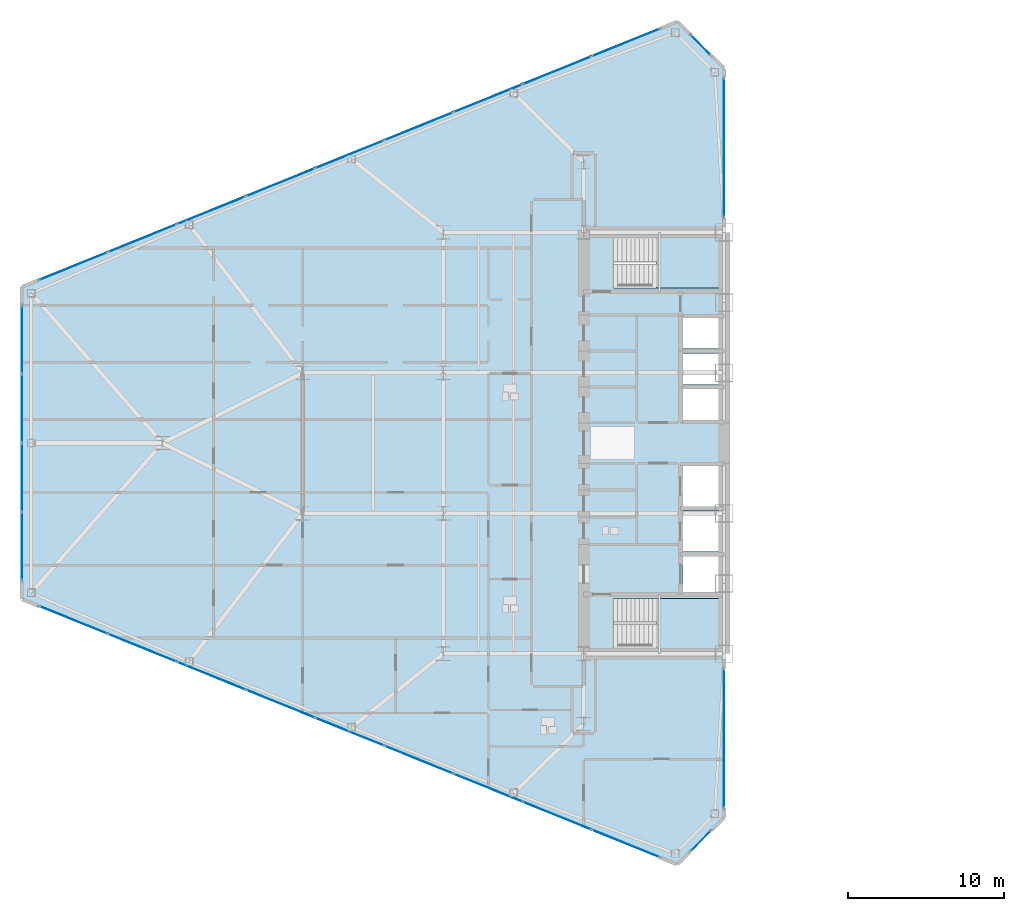
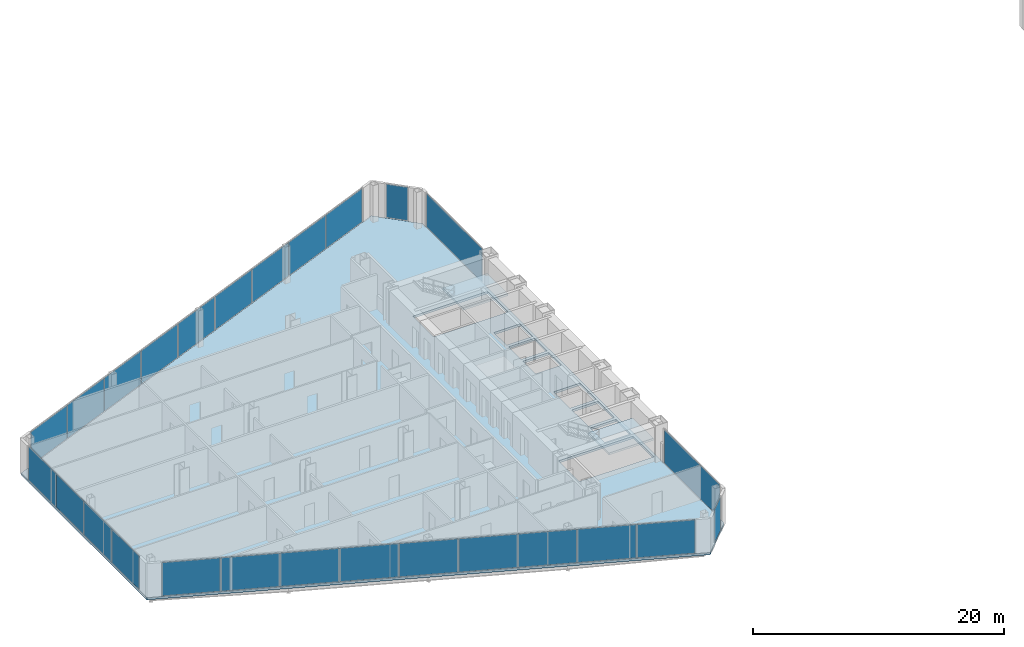
# One storey, part 15 of 25: 26 plates, 3 slabs, 9 elements without a shape of their own.
"""IFC4 building model written with IfcOpenShell, lengths in metres."""

from ifc_helpers import new_model, si_unit, direction, frame, origin, origin_2d, place, context, subcontext, project, spatial, polyline, rectangle, outline, extrude, source, transform, mapped, material, layer, layer_set, type_object, type_shapes, element, aggregate, save


model = new_model("IFC4")

# Units and contexts
model_context = context("Model", 3, precision=1e-05, world=origin(), true_north=direction((0.0, 1.0)))
body_context = subcontext(model_context, "Body", "Model", "MODEL_VIEW")
ifc_project = project(units=[si_unit("LENGTHUNIT", "METRE"), si_unit("AREAUNIT", "SQUARE_METRE"), si_unit("VOLUMEUNIT", "CUBIC_METRE"), si_unit("PLANEANGLEUNIT", "RADIAN"), si_unit("MASSUNIT", "GRAM", prefix="KILO")], contexts=[model_context])

# Site, building, storey
site_placement = place(None, origin())
site = spatial("IfcSite", under=ifc_project, at=site_placement, CompositionType="ELEMENT")
building_placement = place(site_placement, origin())
building = spatial("IfcBuilding", under=site, at=building_placement, Name="Seokmaru Belvedere", CompositionType="ELEMENT")
storey_placement = place(building_placement, frame((0.0, 0.0, 58.5)))
storey = spatial("IfcBuildingStorey", under=building, at=storey_placement, Name="L15", CompositionType="ELEMENT", Elevation=58.5)

# Stair, slab
ifc_material_1 = material(Name="Concrete C40 (40 MPa)", Category="concrete")
stair_type = type_object("IfcStairType", Name="Typical Tower Core Dog-Leg Stair 3600", PredefinedType="TWO_STRAIGHT_RUN_STAIR", material=ifc_material_1)
stair_1_placement = place(storey_placement, origin())
stair_1 = element("IfcStair", 1, at=stair_1_placement, inside=storey, type_object=stair_type, Name="L15 Special Escape Stair ST-W1", PredefinedType="TWO_STRAIGHT_RUN_STAIR")
ifc_layer_1 = layer(ifc_material_1, 0.199951171875)
ifc_layer_set_1 = layer_set([ifc_layer_1], Name="Concrete C40 (40 MPa)")
slab_type_1 = type_object("IfcSlabType", Name="Reinforced Concrete Stair Landing Slab 200", PredefinedType="LANDING", material=ifc_layer_set_1)
slab_1_placement = place(storey_placement, frame((0.0, 0.0, 1.60009765625)))
slab_1 = element("IfcSlab", 2, at=slab_1_placement, type_object=slab_type_1, Name="ST-W1 landing 1", PredefinedType="LANDING", context=body_context, shape_type="SweptSolid", body=[
    extrude(outline(polyline([(-31.8798828125, -13.239990234375), (-27.760009765625, -13.239990234375), (-27.760009765625, -9.949951171875), (-31.8798828125, -9.949951171875), (-31.8798828125, -13.239990234375)])), origin(), (0.0, 0.0, 1.0), 0.199951171875),
])
aggregate(stair_1, [slab_1])

stair_2_placement = place(storey_placement, origin())
stair_2 = element("IfcStair", 3, at=stair_2_placement, inside=storey, type_object=stair_type, Name="L15 Special Escape Stair ST-W2", PredefinedType="TWO_STRAIGHT_RUN_STAIR")
slab_2_placement = place(storey_placement, frame((0.0, 0.0, 1.60009765625)))
slab_2 = element("IfcSlab", 4, at=slab_2_placement, type_object=slab_type_1, Name="ST-W2 landing 1", PredefinedType="LANDING", context=body_context, shape_type="SweptSolid", body=[
    extrude(outline(polyline([(-31.8798828125, 9.949951171875), (-27.760009765625, 9.949951171875), (-27.760009765625, 13.239990234375), (-31.8798828125, 13.239990234375), (-31.8798828125, 9.949951171875)])), origin(), (0.0, 0.0, 1.0), 0.199951171875),
])
aggregate(stair_2, [slab_2])

# Slab
ifc_layer_2 = layer(ifc_material_1, 0.219970703125)
ifc_layer_set_2 = layer_set([ifc_layer_2], Name="Concrete C40 (40 MPa)")
slab_type_2 = type_object("IfcSlabType", Name="Typical Tower Composite Floor Slab 220", PredefinedType="FLOOR", material=ifc_layer_set_2)
slab_3_placement = place(storey_placement, frame((0.0, 0.0, -0.219970703125)))
element("IfcSlab", 5, at=slab_3_placement, inside=storey, type_object=slab_type_2, Name="L15 West Leg Floor Slab", PredefinedType="FLOOR", context=body_context, shape_type="SweptSolid", body=[
    extrude(outline(polyline([(-27.5, -24.0), (-27.5, 24.0), (-30.5, 27.0), (-72.5, 10.0), (-72.5, -10.0), (-30.5, -27.0), (-27.5, -24.0)]), holes=[polyline([(-34.60009765625, -13.25), (-27.75, -13.25), (-27.75, -9.949951171875), (-34.60009765625, -9.949951171875), (-34.60009765625, -13.25)]), polyline([(-34.60009765625, 9.949951171875), (-27.75, 9.949951171875), (-27.75, 13.25), (-34.60009765625, 13.25), (-34.60009765625, 9.949951171875)]), polyline([(-30.14990234375, -9.550048828125), (-27.75, -9.550048828125), (-27.75, -7.25), (-30.14990234375, -7.25), (-30.14990234375, -9.550048828125)]), polyline([(-30.14990234375, -6.949951171875), (-27.75, -6.949951171875), (-27.75, -4.35009765625), (-30.14990234375, -4.35009765625), (-30.14990234375, -6.949951171875)]), polyline([(-30.14990234375, -4.050048828125), (-27.75, -4.050048828125), (-27.75, -1.449951171875), (-30.14990234375, -1.449951171875), (-30.14990234375, -4.050048828125)]), polyline([(-30.14990234375, 1.449951171875), (-27.75, 1.449951171875), (-27.75, 3.449951171875), (-30.14990234375, 3.449951171875), (-30.14990234375, 1.449951171875)]), polyline([(-30.14990234375, 3.75), (-27.75, 3.75), (-27.75, 5.75), (-30.14990234375, 5.75), (-30.14990234375, 3.75)]), polyline([(-30.14990234375, 6.050048828125), (-27.75, 6.050048828125), (-27.75, 8.050048828125), (-30.14990234375, 8.050048828125), (-30.14990234375, 6.050048828125)])]), origin(), (0.0, 0.0, 1.0), 0.219970703125),
])

# Curtain wall, plate
ifc_material_2 = material(Name="Bronze Triple Insulating Glass", Category="glass")
ifc_layer_3 = layer(ifc_material_2, 0.2099609375)
ifc_layer_set_3 = layer_set([ifc_layer_3], Name="Bronze Triple Insulating Glass")
curtain_wall_type = type_object("IfcCurtainWallType", Name="Low-Rise Faceted Crystal Curtain Wall System CW-2", PredefinedType="NOTDEFINED", material=ifc_layer_set_3)
curtain_wall_1_placement = place(storey_placement, origin())
curtain_wall_1 = element("IfcCurtainWall", 6, at=curtain_wall_1_placement, inside=storey, type_object=curtain_wall_type, Name="L15 Curtain Wall WSP_1", PredefinedType="NOTDEFINED")
ifc_layer_4 = layer(ifc_material_2, 0.035888671875)
ifc_layer_set_4 = layer_set([ifc_layer_4], Name="Bronze Triple Insulating Glass")
plate_type = type_object("IfcPlateType", Name="Bronze Triple Vision Glazing Panel 36", PredefinedType="CURTAIN_PANEL", material=ifc_layer_set_4)
shared_shape_1 = source(origin(), body_context, "Body", "SweptSolid", [
    extrude(rectangle(XDim=8.85009765625, YDim=0.035888671875, at=origin_2d()), origin(), (0.0, 0.0, 1.0), 3.239990234375),
])
plate_1_placement = place(storey_placement, frame((-27.5, -18.929931640625, 0.06982421875), z_axis=(0.0, 0.0, 1.0), x_axis=(0.0, 1.0, 0.0)))
plate_1 = element("IfcPlate", 7, at=plate_1_placement, type_object=plate_type, Name="CW:L15:WSP_1 Glazing Panel 1-1", PredefinedType="CURTAIN_PANEL", context=body_context, shape_type="MappedRepresentation", body=[
    mapped(shared_shape_1, transform((0.0, 0.0, 0.0), scale=1.0)),
])
aggregate(curtain_wall_1, [plate_1])

curtain_wall_2_placement = place(storey_placement, origin())
curtain_wall_2 = element("IfcCurtainWall", 8, at=curtain_wall_2_placement, inside=storey, type_object=curtain_wall_type, Name="L15 Curtain Wall WSP_2", PredefinedType="NOTDEFINED")
plate_2_placement = place(storey_placement, frame((-27.5, 18.929931640625, 0.06982421875), z_axis=(0.0, 0.0, 1.0), x_axis=(0.0, 1.0, 0.0)))
plate_2 = element("IfcPlate", 9, at=plate_2_placement, type_object=plate_type, Name="CW:L15:WSP_2 Glazing Panel 1-1", PredefinedType="CURTAIN_PANEL", context=body_context, shape_type="MappedRepresentation", body=[
    mapped(shared_shape_1, transform((0.0, 0.0, 0.0), scale=1.0)),
])
aggregate(curtain_wall_2, [plate_2])

curtain_wall_3_placement = place(storey_placement, origin())
curtain_wall_3 = element("IfcCurtainWall", 10, at=curtain_wall_3_placement, inside=storey, type_object=curtain_wall_type, Name="L15 Curtain Wall WF2", PredefinedType="NOTDEFINED")
shared_shape_2 = source(origin(), body_context, "Body", "SweptSolid", [
    extrude(rectangle(XDim=1.79248046875, YDim=0.035888671875, at=origin_2d()), origin(), (0.0, 0.0, 1.0), 3.239990234375),
])
plate_3_placement = place(storey_placement, frame((-29.0, 25.5, 0.06982421875), z_axis=(0.0, 0.0, 1.0), x_axis=(-0.707106781187, 0.707106781187, 0.0)))
plate_3 = element("IfcPlate", 11, at=plate_3_placement, type_object=plate_type, Name="CW:L15:WF2 Glazing Panel 1-1", PredefinedType="CURTAIN_PANEL", context=body_context, shape_type="MappedRepresentation", body=[
    mapped(shared_shape_2, transform((0.0, 0.0, 0.0), scale=1.0)),
])
aggregate(curtain_wall_3, [plate_3])

curtain_wall_4_placement = place(storey_placement, origin())
curtain_wall_4 = element("IfcCurtainWall", 12, at=curtain_wall_4_placement, inside=storey, type_object=curtain_wall_type, Name="L15 Curtain Wall WF6", PredefinedType="NOTDEFINED")
plate_4_placement = place(storey_placement, frame((-29.0, -25.5, 0.06982421875), z_axis=(0.0, 0.0, 1.0), x_axis=(0.707106781187, 0.707106781187, 0.0)))
plate_4 = element("IfcPlate", 13, at=plate_4_placement, type_object=plate_type, Name="CW:L15:WF6 Glazing Panel 1-1", PredefinedType="CURTAIN_PANEL", context=body_context, shape_type="MappedRepresentation", body=[
    mapped(shared_shape_2, transform((0.0, 0.0, 0.0), scale=1.0)),
])
aggregate(curtain_wall_4, [plate_4])

# Curtain wall, plates
curtain_wall_5_placement = place(storey_placement, origin())
curtain_wall_5 = element("IfcCurtainWall", 14, at=curtain_wall_5_placement, inside=storey, type_object=curtain_wall_type, Name="L15 Curtain Wall WF3", PredefinedType="NOTDEFINED")
shared_shape_3 = source(origin(), body_context, "Body", "SweptSolid", [
    extrude(rectangle(XDim=4.66650390625, YDim=0.035888671875, at=origin_2d()), origin(), (0.0, 0.0, 1.0), 3.239990234375),
])
plate_5_placement = place(storey_placement, frame((-33.79833984375, 25.6650390625, 0.06982421875), z_axis=(0.0, 0.0, 1.0), x_axis=(-0.926946989637, -0.375192321888, 0.0)))
plate_5 = element("IfcPlate", 15, at=plate_5_placement, type_object=plate_type, Name="CW:L15:WF3 Glazing Panel 1-1", PredefinedType="CURTAIN_PANEL", context=body_context, shape_type="MappedRepresentation", body=[
    mapped(shared_shape_3, transform((0.0, 0.0, 0.0), scale=1.0)),
])
plate_6_placement = place(storey_placement, frame((-69.20166015625, 11.3349609375, 0.06982421875), z_axis=(0.0, 0.0, 1.0), x_axis=(-0.926946989637, -0.375192321888, 0.0)))
plate_6 = element("IfcPlate", 16, at=plate_6_placement, type_object=plate_type, Name="CW:L15:WF3 Glazing Panel 9-1", PredefinedType="CURTAIN_PANEL", context=body_context, shape_type="MappedRepresentation", body=[
    mapped(shared_shape_3, transform((0.0, 0.0, 0.0), scale=1.0)),
])

curtain_wall_6_placement = place(storey_placement, origin())
curtain_wall_6 = element("IfcCurtainWall", 17, at=curtain_wall_6_placement, inside=storey, type_object=curtain_wall_type, Name="L15 Curtain Wall WF5", PredefinedType="NOTDEFINED")
plate_7_placement = place(storey_placement, frame((-69.20166015625, -11.3349609375, 0.06982421875), z_axis=(0.0, 0.0, 1.0), x_axis=(0.926946989637, -0.375192321888, 0.0)))
plate_7 = element("IfcPlate", 18, at=plate_7_placement, type_object=plate_type, Name="CW:L15:WF5 Glazing Panel 1-1", PredefinedType="CURTAIN_PANEL", context=body_context, shape_type="MappedRepresentation", body=[
    mapped(shared_shape_3, transform((0.0, 0.0, 0.0), scale=1.0)),
])
plate_8_placement = place(storey_placement, frame((-33.79833984375, -25.6650390625, 0.06982421875), z_axis=(0.0, 0.0, 1.0), x_axis=(0.926946989637, -0.375192321888, 0.0)))
plate_8 = element("IfcPlate", 19, at=plate_8_placement, type_object=plate_type, Name="CW:L15:WF5 Glazing Panel 9-1", PredefinedType="CURTAIN_PANEL", context=body_context, shape_type="MappedRepresentation", body=[
    mapped(shared_shape_3, transform((0.0, 0.0, 0.0), scale=1.0)),
])

# Plate
shared_shape_4 = source(origin(), body_context, "Body", "SweptSolid", [
    extrude(rectangle(XDim=4.703857421875, YDim=0.035888671875, at=origin_2d()), origin(), (0.0, 0.0, 1.0), 3.239990234375),
])
plate_9_placement = place(storey_placement, frame((-38.210693359375, 23.87890625, 0.06982421875), z_axis=(0.0, 0.0, 1.0), x_axis=(-0.926946989637, -0.375192321888, 0.0)))
plate_9 = element("IfcPlate", 20, at=plate_9_placement, type_object=plate_type, Name="CW:L15:WF3 Glazing Panel 2-1", PredefinedType="CURTAIN_PANEL", context=body_context, shape_type="MappedRepresentation", body=[
    mapped(shared_shape_4, transform((0.0, 0.0, 0.0), scale=1.0)),
])

plate_10_placement = place(storey_placement, frame((-42.640380859375, 22.0859375, 0.06982421875), z_axis=(0.0, 0.0, 1.0), x_axis=(-0.926946989637, -0.375192321888, 0.0)))
plate_10 = element("IfcPlate", 21, at=plate_10_placement, type_object=plate_type, Name="CW:L15:WF3 Glazing Panel 3-1", PredefinedType="CURTAIN_PANEL", context=body_context, shape_type="MappedRepresentation", body=[
    mapped(shared_shape_4, transform((0.0, 0.0, 0.0), scale=1.0)),
])

plate_11_placement = place(storey_placement, frame((-47.0703125, 20.29296875, 0.06982421875), z_axis=(0.0, 0.0, 1.0), x_axis=(-0.926946989637, -0.375192321888, 0.0)))
plate_11 = element("IfcPlate", 22, at=plate_11_placement, type_object=plate_type, Name="CW:L15:WF3 Glazing Panel 4-1", PredefinedType="CURTAIN_PANEL", context=body_context, shape_type="MappedRepresentation", body=[
    mapped(shared_shape_4, transform((0.0, 0.0, 0.0), scale=1.0)),
])

plate_12_placement = place(storey_placement, frame((-51.5, 18.5, 0.06982421875), z_axis=(0.0, 0.0, 1.0), x_axis=(-0.926946989637, -0.375192321888, 0.0)))
plate_12 = element("IfcPlate", 23, at=plate_12_placement, type_object=plate_type, Name="CW:L15:WF3 Glazing Panel 5-1", PredefinedType="CURTAIN_PANEL", context=body_context, shape_type="MappedRepresentation", body=[
    mapped(shared_shape_4, transform((0.0, 0.0, 0.0), scale=1.0)),
])

plate_13_placement = place(storey_placement, frame((-55.9296875, 16.70703125, 0.06982421875), z_axis=(0.0, 0.0, 1.0), x_axis=(-0.926946989637, -0.375192321888, 0.0)))
plate_13 = element("IfcPlate", 24, at=plate_13_placement, type_object=plate_type, Name="CW:L15:WF3 Glazing Panel 6-1", PredefinedType="CURTAIN_PANEL", context=body_context, shape_type="MappedRepresentation", body=[
    mapped(shared_shape_4, transform((0.0, 0.0, 0.0), scale=1.0)),
])

plate_14_placement = place(storey_placement, frame((-60.359619140625, 14.9140625, 0.06982421875), z_axis=(0.0, 0.0, 1.0), x_axis=(-0.926946989637, -0.375192321888, 0.0)))
plate_14 = element("IfcPlate", 25, at=plate_14_placement, type_object=plate_type, Name="CW:L15:WF3 Glazing Panel 7-1", PredefinedType="CURTAIN_PANEL", context=body_context, shape_type="MappedRepresentation", body=[
    mapped(shared_shape_4, transform((0.0, 0.0, 0.0), scale=1.0)),
])

plate_15_placement = place(storey_placement, frame((-64.789306640625, 13.12109375, 0.06982421875), z_axis=(0.0, 0.0, 1.0), x_axis=(-0.926946989637, -0.375192321888, 0.0)))
plate_15 = element("IfcPlate", 26, at=plate_15_placement, type_object=plate_type, Name="CW:L15:WF3 Glazing Panel 8-1", PredefinedType="CURTAIN_PANEL", context=body_context, shape_type="MappedRepresentation", body=[
    mapped(shared_shape_4, transform((0.0, 0.0, 0.0), scale=1.0)),
])

aggregate(curtain_wall_5, [plate_5, plate_9, plate_10, plate_11, plate_12, plate_13, plate_14, plate_15, plate_6])

plate_16_placement = place(storey_placement, frame((-64.789306640625, -13.12109375, 0.06982421875), z_axis=(0.0, 0.0, 1.0), x_axis=(0.926946989637, -0.375192321888, 0.0)))
plate_16 = element("IfcPlate", 27, at=plate_16_placement, type_object=plate_type, Name="CW:L15:WF5 Glazing Panel 2-1", PredefinedType="CURTAIN_PANEL", context=body_context, shape_type="MappedRepresentation", body=[
    mapped(shared_shape_4, transform((0.0, 0.0, 0.0), scale=1.0)),
])

plate_17_placement = place(storey_placement, frame((-60.359619140625, -14.9140625, 0.06982421875), z_axis=(0.0, 0.0, 1.0), x_axis=(0.926946989637, -0.375192321888, 0.0)))
plate_17 = element("IfcPlate", 28, at=plate_17_placement, type_object=plate_type, Name="CW:L15:WF5 Glazing Panel 3-1", PredefinedType="CURTAIN_PANEL", context=body_context, shape_type="MappedRepresentation", body=[
    mapped(shared_shape_4, transform((0.0, 0.0, 0.0), scale=1.0)),
])

plate_18_placement = place(storey_placement, frame((-55.9296875, -16.70703125, 0.06982421875), z_axis=(0.0, 0.0, 1.0), x_axis=(0.926946989637, -0.375192321888, 0.0)))
plate_18 = element("IfcPlate", 29, at=plate_18_placement, type_object=plate_type, Name="CW:L15:WF5 Glazing Panel 4-1", PredefinedType="CURTAIN_PANEL", context=body_context, shape_type="MappedRepresentation", body=[
    mapped(shared_shape_4, transform((0.0, 0.0, 0.0), scale=1.0)),
])

plate_19_placement = place(storey_placement, frame((-51.5, -18.5, 0.06982421875), z_axis=(0.0, 0.0, 1.0), x_axis=(0.926946989637, -0.375192321888, 0.0)))
plate_19 = element("IfcPlate", 30, at=plate_19_placement, type_object=plate_type, Name="CW:L15:WF5 Glazing Panel 5-1", PredefinedType="CURTAIN_PANEL", context=body_context, shape_type="MappedRepresentation", body=[
    mapped(shared_shape_4, transform((0.0, 0.0, 0.0), scale=1.0)),
])

plate_20_placement = place(storey_placement, frame((-47.0703125, -20.29296875, 0.06982421875), z_axis=(0.0, 0.0, 1.0), x_axis=(0.926946989637, -0.375192321888, 0.0)))
plate_20 = element("IfcPlate", 31, at=plate_20_placement, type_object=plate_type, Name="CW:L15:WF5 Glazing Panel 6-1", PredefinedType="CURTAIN_PANEL", context=body_context, shape_type="MappedRepresentation", body=[
    mapped(shared_shape_4, transform((0.0, 0.0, 0.0), scale=1.0)),
])

plate_21_placement = place(storey_placement, frame((-42.640380859375, -22.0859375, 0.06982421875), z_axis=(0.0, 0.0, 1.0), x_axis=(0.926946989637, -0.375192321888, 0.0)))
plate_21 = element("IfcPlate", 32, at=plate_21_placement, type_object=plate_type, Name="CW:L15:WF5 Glazing Panel 7-1", PredefinedType="CURTAIN_PANEL", context=body_context, shape_type="MappedRepresentation", body=[
    mapped(shared_shape_4, transform((0.0, 0.0, 0.0), scale=1.0)),
])

plate_22_placement = place(storey_placement, frame((-38.210693359375, -23.87890625, 0.06982421875), z_axis=(0.0, 0.0, 1.0), x_axis=(0.926946989637, -0.375192321888, 0.0)))
plate_22 = element("IfcPlate", 33, at=plate_22_placement, type_object=plate_type, Name="CW:L15:WF5 Glazing Panel 8-1", PredefinedType="CURTAIN_PANEL", context=body_context, shape_type="MappedRepresentation", body=[
    mapped(shared_shape_4, transform((0.0, 0.0, 0.0), scale=1.0)),
])

aggregate(curtain_wall_6, [plate_7, plate_16, plate_17, plate_18, plate_19, plate_20, plate_21, plate_22, plate_8])

# Curtain wall, plates
curtain_wall_7_placement = place(storey_placement, origin())
curtain_wall_7 = element("IfcCurtainWall", 34, at=curtain_wall_7_placement, inside=storey, type_object=curtain_wall_type, Name="L15 Curtain Wall WF4", PredefinedType="NOTDEFINED")
shared_shape_5 = source(origin(), body_context, "Body", "SweptSolid", [
    extrude(rectangle(XDim=4.3125, YDim=0.035888671875, at=origin_2d()), origin(), (0.0, 0.0, 1.0), 3.239990234375),
])
plate_23_placement = place(storey_placement, frame((-72.5, 6.61865234375, 0.06982421875), z_axis=(0.0, 0.0, 1.0), x_axis=(0.0, -1.0, 0.0)))
plate_23 = element("IfcPlate", 35, at=plate_23_placement, type_object=plate_type, Name="CW:L15:WF4 Glazing Panel 1-1", PredefinedType="CURTAIN_PANEL", context=body_context, shape_type="MappedRepresentation", body=[
    mapped(shared_shape_5, transform((0.0, 0.0, 0.0), scale=1.0)),
])
plate_24_placement = place(storey_placement, frame((-72.5, -6.61865234375, 0.06982421875), z_axis=(0.0, 0.0, 1.0), x_axis=(0.0, -1.0, 0.0)))
plate_24 = element("IfcPlate", 36, at=plate_24_placement, type_object=plate_type, Name="CW:L15:WF4 Glazing Panel 4-1", PredefinedType="CURTAIN_PANEL", context=body_context, shape_type="MappedRepresentation", body=[
    mapped(shared_shape_5, transform((0.0, 0.0, 0.0), scale=1.0)),
])
shared_shape_6 = source(origin(), body_context, "Body", "SweptSolid", [
    extrude(rectangle(XDim=4.35009765625, YDim=0.035888671875, at=origin_2d()), origin(), (0.0, 0.0, 1.0), 3.239990234375),
])
type_shapes(plate_type, [shared_shape_1, shared_shape_2, shared_shape_3, shared_shape_4, shared_shape_5, shared_shape_6])
plate_25_placement = place(storey_placement, frame((-72.5, 2.21240234375, 0.06982421875), z_axis=(0.0, 0.0, 1.0), x_axis=(0.0, -1.0, 0.0)))
plate_25 = element("IfcPlate", 37, at=plate_25_placement, type_object=plate_type, Name="CW:L15:WF4 Glazing Panel 2-1", PredefinedType="CURTAIN_PANEL", context=body_context, shape_type="MappedRepresentation", body=[
    mapped(shared_shape_6, transform((0.0, 0.0, 0.0), scale=1.0)),
])
plate_26_placement = place(storey_placement, frame((-72.5, -2.21240234375, 0.06982421875), z_axis=(0.0, 0.0, 1.0), x_axis=(0.0, -1.0, 0.0)))
plate_26 = element("IfcPlate", 38, at=plate_26_placement, type_object=plate_type, Name="CW:L15:WF4 Glazing Panel 3-1", PredefinedType="CURTAIN_PANEL", context=body_context, shape_type="MappedRepresentation", body=[
    mapped(shared_shape_6, transform((0.0, 0.0, 0.0), scale=1.0)),
])
aggregate(curtain_wall_7, [plate_23, plate_25, plate_26, plate_24])

save(model, "model.ifc")
